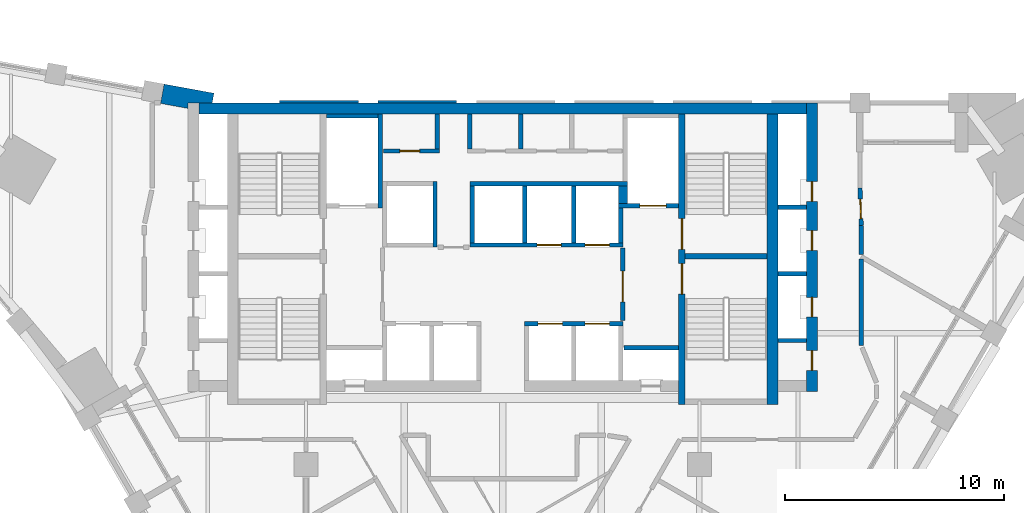
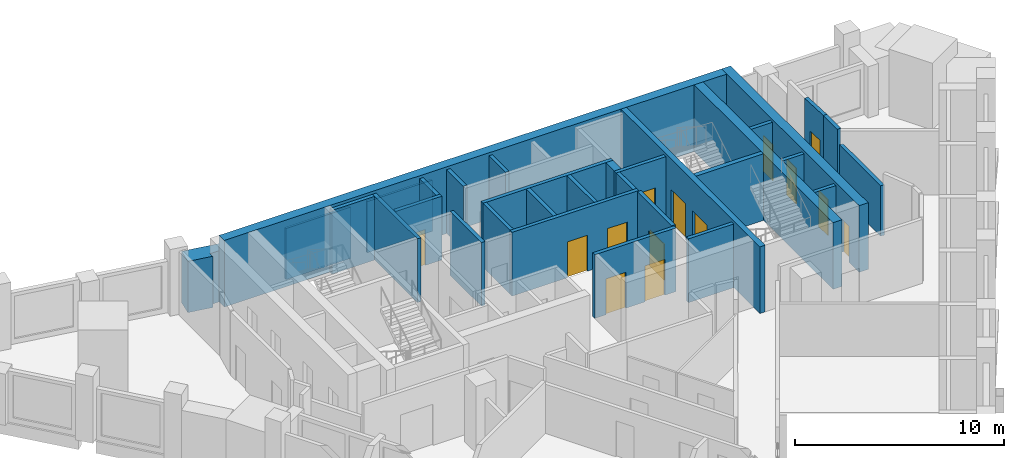
# One storey, part 6 of 9: 32 walls, 14 doors, 14 openings.
"""IFC4 building model written with IfcOpenShell, lengths in metres."""

from ifc_helpers import new_model, si_unit, direction, frame, frame_2d, origin, place, context, subcontext, project, spatial, polyline, rectangle, outline, extrude, material, layer, layer_set, type_object, element, fill, save


model = new_model("IFC4")

# Units and contexts
model_context = context("Model", 3, precision=1e-05, world=origin(), true_north=direction((0.0, 1.0)))
body_context = subcontext(model_context, "Body", "Model", "MODEL_VIEW")
ifc_project = project(units=[si_unit("LENGTHUNIT", "METRE"), si_unit("AREAUNIT", "SQUARE_METRE"), si_unit("VOLUMEUNIT", "CUBIC_METRE"), si_unit("PLANEANGLEUNIT", "RADIAN"), si_unit("MASSUNIT", "GRAM", prefix="KILO")], contexts=[model_context])

# Site, building, storey
site_placement = place(None, origin())
site = spatial("IfcSite", under=ifc_project, at=site_placement, CompositionType="ELEMENT")
building_placement = place(site_placement, origin())
building = spatial("IfcBuilding", under=site, at=building_placement, Name="Calabash Gate Tower", CompositionType="ELEMENT")
storey_placement = place(building_placement, frame((0.0, 0.0, 219.800048828125)))
storey = spatial("IfcBuildingStorey", under=building, at=storey_placement, Name="L52", CompositionType="ELEMENT", Elevation=219.800048828125)

# Walls
ifc_material_1 = material(Name="Terracotta brick masonry, exposed face", Category="masonry")
ifc_layer_1 = layer(ifc_material_1, 0.89990234375)
ifc_layer_set_1 = layer_set([ifc_layer_1], Name="Brick end wall 900")
wall_type_1 = type_object("IfcWallType", Name="Brick end wall 900", PredefinedType="SOLIDWALL", material=ifc_layer_set_1)
wall_1_placement = place(storey_placement, origin())
element("IfcWall", 1, at=wall_1_placement, inside=storey, type_object=wall_type_1, Name="Brick end wall S15 1", PredefinedType="SOLIDWALL", context=body_context, shape_type="SweptSolid", body=[
    extrude(outline(polyline([(-15.651611328125, 19.02734375), (-15.65185546875, 19.027099609375), (-14.39990234375, 18.798095703125), (-14.39990234375, 19.052490234375), (-13.291015625, 19.052490234375), (-13.2099609375, 19.4951171875), (-15.489501953125, 19.912353515625), (-15.6513671875, 19.02734375), (-15.651611328125, 19.02734375)])), origin(), (0.0, 0.0, 1.0), 3.0),
])
ifc_material_2 = material(Name="Gypsum board on steel studs, mineral wool", Category="steel")
ifc_layer_2 = layer(ifc_material_2, 0.199951171875)
ifc_layer_set_2 = layer_set([ifc_layer_2], Name="Core partition 200 gypsum board")
wall_type_2 = type_object("IfcWallType", Name="Core partition 200 gypsum board", PredefinedType="PARTITIONING", material=ifc_layer_set_2)
for number, where, z_axis, x_axis, name in (
    (2, (-3.0, 16.95263671875, 0.0), (0.0, 0.0, 1.0), (0.0, 1.0, 0.0), "Core partition"),
    (3, (-1.5, 16.95263671875, 0.0), (0.0, 0.0, 1.0), (0.0, 1.0, 0.0), "Core partition"),
    (4, (0.833251953125, 16.95263671875, 0.0), (0.0, 0.0, 1.0), (0.0, 1.0, 0.0), "Core partition"),
):
    element("IfcWall", number, at=place(storey_placement, frame(where, z_axis=z_axis, x_axis=x_axis)), inside=storey, type_object=wall_type_2, Name=name, PredefinedType="PARTITIONING", context=body_context, shape_type="SweptSolid", body=[
        extrude(rectangle(XDim=1.599853515625, YDim=0.199951171875, at=frame_2d((0.7998046875, 0.0))), origin(), (0.0, 0.0, 1.0), 3.72998046875),
    ])
ifc_material_3 = material(Name="Concrete C70/85", Category="concrete")
ifc_layer_3 = layer(ifc_material_3, 0.25)
ifc_layer_set_3 = layer_set([ifc_layer_3], Name="Core wall 250 Concrete C70/85")
wall_type_3 = type_object("IfcWallType", Name="Core wall 250 Concrete C70/85", PredefinedType="SHEAR", material=ifc_layer_set_3)
wall_2_placement = place(storey_placement, frame((8.35009765625, 12.027587890625, 0.0), z_axis=(0.0, 0.0, 1.0), x_axis=(1.0, 0.0, 0.0)))
element("IfcWall", 5, at=wall_2_placement, inside=storey, type_object=wall_type_3, Name="Core wall Z4-MIDE L52", PredefinedType="SHEAR", context=body_context, shape_type="SweptSolid", body=[
    extrude(rectangle(XDim=3.75, YDim=0.25, at=frame_2d((1.875, 0.0))), origin(), (0.0, 0.0, 1.0), 3.89990234375),
])

# Wall, openings, doors
ifc_material_4 = material(Name="Concrete C70/85", Category="concrete")
ifc_layer_4 = layer(ifc_material_4, 0.300048828125)
ifc_layer_set_4 = layer_set([ifc_layer_4], Name="Core wall 300 Concrete C70/85")
wall_type_4 = type_object("IfcWallType", Name="Core wall 300 Concrete C70/85", PredefinedType="SHEAR", material=ifc_layer_set_4)
wall_3_placement = place(storey_placement, frame((8.199951171875, 5.252685546875, 0.0), z_axis=(0.0, 0.0, 1.0), x_axis=(0.0, 1.0, 0.0)))
wall_3 = element("IfcWall", 6, at=wall_3_placement, inside=storey, type_object=wall_type_4, Name="Core wall Z4-PARTE L52", PredefinedType="SHEAR", context=body_context, shape_type="SweptSolid", body=[
    extrude(rectangle(XDim=13.2998046875, YDim=0.300048828125, at=frame_2d((6.64990234375, 0.0))), origin(), (0.0, 0.0, 1.0), 3.89990234375),
])
opening_1_placement = place(wall_3_placement, frame((7.10009765625, 0.0, 0.0)))
opening_1 = element("IfcOpeningElement", 7, at=opening_1_placement, cuts=wall_3, Name="Opening O7-020", PredefinedType="OPENING", context=body_context, shape_type="SweptSolid", body=[
    extrude(rectangle(XDim=1.39990234375, YDim=2.10009765625, at=frame_2d((0.699951171875, 1.050048828125))), frame((0.0, 0.159912109375, 0.0), z_axis=(0.0, -1.0, 0.0), x_axis=(1.0, 0.0, 0.0)), (0.0, 0.0, 1.0), 0.320068359375),
])
opening_2_placement = place(wall_3_placement, frame((5.050048828125, 0.0, 0.0)))
opening_2 = element("IfcOpeningElement", 8, at=opening_2_placement, cuts=wall_3, Name="Opening O7-021", PredefinedType="OPENING", context=body_context, shape_type="SweptSolid", body=[
    extrude(rectangle(XDim=1.39990234375, YDim=2.10009765625, at=frame_2d((0.699951171875, 1.050048828125))), frame((0.0, 0.159912109375, 0.0), z_axis=(0.0, -1.0, 0.0), x_axis=(1.0, 0.0, 0.0)), (0.0, 0.0, 1.0), 0.320068359375),
])
ifc_material_5 = material(Name="Steel fire door set with fire-resisting glazing", Category="steel")
door_type_1 = type_object("IfcDoorType", Name="Fire door D05 1400x2100 FD90", OperationType="NOTDEFINED", PredefinedType="DOOR", material=ifc_material_5)
door_1_placement = place(opening_1_placement, origin())
door_1 = element("IfcDoor", 9, at=door_1_placement, inside=storey, type_object=door_type_1, Name="Exit stair door ST3", OperationType="SINGLE_SWING_RIGHT", OverallHeight=2.10009765625, OverallWidth=1.39990234375, PredefinedType="DOOR", context=body_context, shape_type="SweptSolid", body=[
    extrude(rectangle(XDim=1.39990234375, YDim=2.10009765625, at=frame_2d((0.699951171875, 1.050048828125))), frame((0.0, 0.02490234375, 0.0), z_axis=(0.0, -1.0, 0.0), x_axis=(1.0, 0.0, 0.0)), (0.0, 0.0, 1.0), 0.050048828125),
])
fill(opening_1, door_1)
door_2_placement = place(opening_2_placement, origin())
door_2 = element("IfcDoor", 10, at=door_2_placement, inside=storey, type_object=door_type_1, Name="Exit stair door ST4", OperationType="SINGLE_SWING_LEFT", OverallHeight=2.10009765625, OverallWidth=1.39990234375, PredefinedType="DOOR", context=body_context, shape_type="SweptSolid", body=[
    extrude(rectangle(XDim=1.39990234375, YDim=2.10009765625, at=frame_2d((0.699951171875, 1.050048828125))), frame((0.0, 0.02490234375, 0.0), z_axis=(0.0, -1.0, 0.0), x_axis=(1.0, 0.0, 0.0)), (0.0, 0.0, 1.0), 0.050048828125),
])
fill(opening_2, door_2)

# Walls
ifc_material_6 = material(Name="Concrete C70/85", Category="concrete")
ifc_layer_5 = layer(ifc_material_6, 0.5)
ifc_layer_set_5 = layer_set([ifc_layer_5], Name="Core wall 500 Concrete C70/85")
wall_type_5 = type_object("IfcWallType", Name="Core wall 500 Concrete C70/85", PredefinedType="SHEAR", material=ifc_layer_set_5)
wall_4_placement = place(storey_placement, frame((-13.89990234375, 18.802490234375, 0.0), z_axis=(0.0, 0.0, 1.0), x_axis=(1.0, 0.0, 0.0)))
element("IfcWall", 11, at=wall_4_placement, inside=storey, type_object=wall_type_5, Name="Core wall Z4-N L52", PredefinedType="SHEAR", context=body_context, shape_type="SweptSolid", body=[
    extrude(rectangle(XDim=27.7998046875, YDim=0.5, at=frame_2d((13.89990234375, 0.0))), origin(), (0.0, 0.0, 1.0), 3.89990234375),
])
wall_5_placement = place(storey_placement, frame((12.35009765625, 5.252685546875, 0.0), z_axis=(0.0, 0.0, 1.0), x_axis=(0.0, 1.0, 0.0)))
element("IfcWall", 12, at=wall_5_placement, inside=storey, type_object=wall_type_5, Name="Core wall Z4-COLE L52", PredefinedType="SHEAR", context=body_context, shape_type="SweptSolid", body=[
    extrude(rectangle(XDim=13.2998046875, YDim=0.5, at=frame_2d((6.64990234375, 0.0))), origin(), (0.0, 0.0, 1.0), 3.89990234375),
])

# Wall, openings, doors
wall_6_placement = place(storey_placement, frame((14.14990234375, 5.8525390625, 0.0), z_axis=(0.0, 0.0, 1.0), x_axis=(0.0, 1.0, 0.0)))
wall_6 = element("IfcWall", 13, at=wall_6_placement, inside=storey, type_object=wall_type_5, Name="Core wall Z4-ENDE L52", PredefinedType="SHEAR", context=body_context, shape_type="SweptSolid", body=[
    extrude(rectangle(XDim=13.199951171875, YDim=0.5, at=frame_2d((6.60009765625, 0.0))), origin(), (0.0, 0.0, 1.0), 3.89990234375),
])
opening_3_placement = place(wall_6_placement, frame((0.965087890625, 0.0, 0.0)))
opening_3 = element("IfcOpeningElement", 14, at=opening_3_placement, cuts=wall_6, Name="Opening O7-001", PredefinedType="OPENING", context=body_context, shape_type="SweptSolid", body=[
    extrude(rectangle(XDim=0.89990234375, YDim=2.10009765625, at=frame_2d((0.449951171875, 1.050048828125))), frame((0.0, 0.260009765625, 0.0), z_axis=(0.0, -1.0, 0.0), x_axis=(1.0, 0.0, 0.0)), (0.0, 0.0, 1.0), 0.52001953125),
])
opening_4_placement = place(wall_6_placement, frame((3.405029296875, 0.0, 0.0)))
opening_4 = element("IfcOpeningElement", 15, at=opening_4_placement, cuts=wall_6, Name="Opening O7-002", PredefinedType="OPENING", context=body_context, shape_type="SweptSolid", body=[
    extrude(rectangle(XDim=0.89990234375, YDim=2.10009765625, at=frame_2d((0.449951171875, 1.050048828125))), frame((0.0, 0.260009765625, 0.0), z_axis=(0.0, -1.0, 0.0), x_axis=(1.0, 0.0, 0.0)), (0.0, 0.0, 1.0), 0.52001953125),
])
opening_5_placement = place(wall_6_placement, frame((6.455078125, 0.0, 0.0)))
opening_5 = element("IfcOpeningElement", 16, at=opening_5_placement, cuts=wall_6, Name="Opening O7-003", PredefinedType="OPENING", context=body_context, shape_type="SweptSolid", body=[
    extrude(rectangle(XDim=0.89990234375, YDim=2.10009765625, at=frame_2d((0.449951171875, 1.050048828125))), frame((0.0, 0.260009765625, 0.0), z_axis=(0.0, -1.0, 0.0), x_axis=(1.0, 0.0, 0.0)), (0.0, 0.0, 1.0), 0.52001953125),
])
opening_6_placement = place(wall_6_placement, frame((8.697509765625, 0.0, 0.0)))
opening_6 = element("IfcOpeningElement", 17, at=opening_6_placement, cuts=wall_6, Name="Opening O7-004", PredefinedType="OPENING", context=body_context, shape_type="SweptSolid", body=[
    extrude(rectangle(XDim=0.89990234375, YDim=2.10009765625, at=frame_2d((0.449951171875, 1.050048828125))), frame((0.0, 0.260009765625, 0.0), z_axis=(0.0, -1.0, 0.0), x_axis=(1.0, 0.0, 0.0)), (0.0, 0.0, 1.0), 0.52001953125),
])
ifc_material_7 = material(Name="Steel fire door set with fire-resisting glazing", Category="steel")
door_type_2 = type_object("IfcDoorType", Name="Fire door D06 900x2100 FD60", OperationType="NOTDEFINED", PredefinedType="DOOR", material=ifc_material_7)
door_3_placement = place(opening_3_placement, origin())
door_3 = element("IfcDoor", 18, at=door_3_placement, inside=storey, type_object=door_type_2, Name="Cleaner's Store door", OperationType="SINGLE_SWING_LEFT", OverallHeight=2.10009765625, OverallWidth=0.89990234375, PredefinedType="DOOR", context=body_context, shape_type="SweptSolid", body=[
    extrude(rectangle(XDim=0.89990234375, YDim=2.10009765625, at=frame_2d((0.449951171875, 1.050048828125))), frame((0.0, 0.02490234375, 0.0), z_axis=(0.0, -1.0, 0.0), x_axis=(1.0, 0.0, 0.0)), (0.0, 0.0, 1.0), 0.050048828125),
])
fill(opening_3, door_3)
door_4_placement = place(opening_4_placement, origin())
door_4 = element("IfcDoor", 19, at=door_4_placement, inside=storey, type_object=door_type_2, Name="Duct Riser door", OperationType="SINGLE_SWING_RIGHT", OverallHeight=2.10009765625, OverallWidth=0.89990234375, PredefinedType="DOOR", context=body_context, shape_type="SweptSolid", body=[
    extrude(rectangle(XDim=0.89990234375, YDim=2.10009765625, at=frame_2d((0.449951171875, 1.050048828125))), frame((0.0, 0.02490234375, 0.0), z_axis=(0.0, -1.0, 0.0), x_axis=(1.0, 0.0, 0.0)), (0.0, 0.0, 1.0), 0.050048828125),
])
fill(opening_4, door_4)
door_5_placement = place(opening_5_placement, origin())
door_5 = element("IfcDoor", 20, at=door_5_placement, inside=storey, type_object=door_type_2, Name="Electrical Riser door", OperationType="SINGLE_SWING_LEFT", OverallHeight=2.10009765625, OverallWidth=0.89990234375, PredefinedType="DOOR", context=body_context, shape_type="SweptSolid", body=[
    extrude(rectangle(XDim=0.89990234375, YDim=2.10009765625, at=frame_2d((0.449951171875, 1.050048828125))), frame((0.0, 0.02490234375, 0.0), z_axis=(0.0, -1.0, 0.0), x_axis=(1.0, 0.0, 0.0)), (0.0, 0.0, 1.0), 0.050048828125),
])
fill(opening_5, door_5)
door_6_placement = place(opening_6_placement, origin())
door_6 = element("IfcDoor", 21, at=door_6_placement, inside=storey, type_object=door_type_2, Name="Comms Riser door", OperationType="SINGLE_SWING_LEFT", OverallHeight=2.10009765625, OverallWidth=0.89990234375, PredefinedType="DOOR", context=body_context, shape_type="SweptSolid", body=[
    extrude(rectangle(XDim=0.89990234375, YDim=2.10009765625, at=frame_2d((0.449951171875, 1.050048828125))), frame((0.0, 0.02490234375, 0.0), z_axis=(0.0, -1.0, 0.0), x_axis=(1.0, 0.0, 0.0)), (0.0, 0.0, 1.0), 0.050048828125),
])
fill(opening_6, door_6)

# Walls
ifc_material_8 = material(Name="Gypsum board on steel studs, mineral wool", Category="steel")
ifc_layer_6 = layer(ifc_material_8, 0.199951171875)
ifc_layer_set_6 = layer_set([ifc_layer_6], Name="Partition 200 gypsum board EI 60")
wall_type_6 = type_object("IfcWallType", Name="Partition 200 gypsum board EI 60", PredefinedType="PARTITIONING", material=ifc_layer_set_6)
wall_7_placement = place(storey_placement, frame((16.400390625, 7.95263671875, 0.0), z_axis=(0.0, 0.0, 1.0), x_axis=(0.00043151272, 0.999999906898, 0.0)))
element("IfcWall", 22, at=wall_7_placement, inside=storey, type_object=wall_type_6, Name="Partition", PredefinedType="PARTITIONING", context=body_context, shape_type="SweptSolid", body=[
    extrude(rectangle(XDim=3.96044921875, YDim=0.199951171875, at=frame_2d((1.980224609375, 0.0))), origin(), (0.0, 0.0, 1.0), 2.949951171875),
])
wall_8_placement = place(storey_placement, frame((16.400390625, 13.45263671875, 0.0), z_axis=(0.0, 0.0, 1.0), x_axis=(0.001093692383, -0.999999401918, 0.0)))
element("IfcWall", 23, at=wall_8_placement, inside=storey, type_object=wall_type_6, Name="Partition", PredefinedType="PARTITIONING", context=body_context, shape_type="SweptSolid", body=[
    extrude(rectangle(XDim=1.33935546875, YDim=0.199951171875, at=frame_2d((0.669677734375, 0.0))), origin(), (0.0, 0.0, 1.0), 3.72998046875),
])

# Wall, opening, door
wall_9_placement = place(storey_placement, frame((16.344482421875, 15.152587890625, 0.0), z_axis=(0.0, 0.0, 1.0), x_axis=(0.032870350984, -0.99945962401, 0.0)))
wall_9 = element("IfcWall", 24, at=wall_9_placement, inside=storey, type_object=wall_type_6, Name="Partition", PredefinedType="PARTITIONING", context=body_context, shape_type="SweptSolid", body=[
    extrude(rectangle(XDim=1.700927734375, YDim=0.199951171875, at=frame_2d((0.8505859375, 0.0))), origin(), (0.0, 0.0, 1.0), 3.72998046875),
])
opening_7_placement = place(wall_9_placement, frame((0.50048828125, 0.0, 0.0)))
opening_7 = element("IfcOpeningElement", 25, at=opening_7_placement, cuts=wall_9, Name="Opening 52-54-010", PredefinedType="OPENING", context=body_context, shape_type="SweptSolid", body=[
    extrude(rectangle(XDim=0.89990234375, YDim=2.10009765625, at=frame_2d((0.449951171875, 1.050048828125))), frame((0.0, 0.10986328125, 0.0), z_axis=(0.0, -1.0, 0.0), x_axis=(1.0, 0.0, 0.0)), (0.0, 0.0, 1.0), 0.219970703125),
])
ifc_material_9 = material(Name="Steel fire door set with fire-resisting glazing", Category="steel")
door_type_3 = type_object("IfcDoorType", Name="SD3 Store door 900x2100", OperationType="NOTDEFINED", PredefinedType="DOOR", material=ifc_material_9)
door_7_placement = place(opening_7_placement, origin())
door_7 = element("IfcDoor", 26, at=door_7_placement, inside=storey, type_object=door_type_3, Name="Store door", OperationType="SINGLE_SWING_RIGHT", OverallHeight=2.10009765625, OverallWidth=0.89990234375, PredefinedType="DOOR", context=body_context, shape_type="SweptSolid", body=[
    extrude(rectangle(XDim=0.89990234375, YDim=2.10009765625, at=frame_2d((0.449951171875, 1.050048828125))), frame((0.0, 0.02490234375, 0.0), z_axis=(0.0, -1.0, 0.0), x_axis=(1.0, 0.0, 0.0)), (0.0, 0.0, 1.0), 0.050048828125),
])
fill(opening_7, door_7)

# Walls
ifc_material_10 = material(Name="Concrete C40/50", Category="concrete")
ifc_layer_7 = layer(ifc_material_10, 0.199951171875)
ifc_layer_set_7 = layer_set([ifc_layer_7], Name="Shaft wall 200 Concrete C40/50")
wall_type_7 = type_object("IfcWallType", Name="Shaft wall 200 Concrete C40/50", PredefinedType="SOLIDWALL", material=ifc_layer_set_7)
wall_10_placement = place(storey_placement, frame((5.550048828125, 7.8525390625, 0.0), z_axis=(0.0, 0.0, 1.0), x_axis=(1.0, 0.0, 0.0)))
element("IfcWall", 27, at=wall_10_placement, inside=storey, type_object=wall_type_7, Name="Shaft wall", PredefinedType="SOLIDWALL", context=body_context, shape_type="SweptSolid", body=[
    extrude(rectangle(XDim=2.5, YDim=0.199951171875, at=frame_2d((1.25, 0.0))), origin(), (0.0, 0.0, 1.0), 3.72998046875),
])
wall_11_placement = place(storey_placement, frame((12.60009765625, 8.1826171875, 0.0), z_axis=(0.0, 0.0, 1.0), x_axis=(1.0, 0.0, 0.0)))
element("IfcWall", 28, at=wall_11_placement, inside=storey, type_object=wall_type_7, Name="Shaft wall", PredefinedType="SOLIDWALL", context=body_context, shape_type="SweptSolid", body=[
    extrude(rectangle(XDim=1.2998046875, YDim=0.199951171875, at=frame_2d((0.64990234375, 0.0))), origin(), (0.0, 0.0, 1.0), 3.72998046875),
])

# Wall, openings, doors
wall_12_placement = place(storey_placement, frame((1.0, 8.95263671875, 0.0), z_axis=(0.0, 0.0, 1.0), x_axis=(1.0, 0.0, 0.0)))
wall_12 = element("IfcWall", 29, at=wall_12_placement, inside=storey, type_object=wall_type_7, Name="Shaft wall", PredefinedType="SOLIDWALL", context=body_context, shape_type="SweptSolid", body=[
    extrude(rectangle(XDim=4.5, YDim=0.199951171875, at=frame_2d((2.25, 0.0))), origin(), (0.0, 0.0, 1.0), 3.72998046875),
])
opening_8_placement = place(wall_12_placement, frame((0.625, 0.0, 0.0)))
opening_8 = element("IfcOpeningElement", 30, at=opening_8_placement, cuts=wall_12, Name="Opening LD-HR3", PredefinedType="OPENING", context=body_context, shape_type="SweptSolid", body=[
    extrude(rectangle(XDim=1.10009765625, YDim=2.10009765625, at=frame_2d((0.550048828125, 1.050048828125))), frame((0.0, 0.10986328125, 0.0), z_axis=(0.0, -1.0, 0.0), x_axis=(1.0, 0.0, 0.0)), (0.0, 0.0, 1.0), 0.219970703125),
])
opening_9_placement = place(wall_12_placement, frame((2.77490234375, 0.0, 0.0)))
opening_9 = element("IfcOpeningElement", 31, at=opening_9_placement, cuts=wall_12, Name="Opening LD-HR4", PredefinedType="OPENING", context=body_context, shape_type="SweptSolid", body=[
    extrude(rectangle(XDim=1.10009765625, YDim=2.10009765625, at=frame_2d((0.550048828125, 1.050048828125))), frame((0.0, 0.10986328125, 0.0), z_axis=(0.0, -1.0, 0.0), x_axis=(1.0, 0.0, 0.0)), (0.0, 0.0, 1.0), 0.219970703125),
])
ifc_material_11 = material(Name="Stainless steel sliding door leaves", Category="steel")
door_type_4 = type_object("IfcDoorType", Name="Lift landing door LS1 1100x2100 FD90", OperationType="DOUBLE_DOOR_SLIDING", PredefinedType="DOOR", material=ifc_material_11)
door_8_placement = place(opening_8_placement, origin())
door_8 = element("IfcDoor", 32, at=door_8_placement, inside=storey, type_object=door_type_4, Name="Lift landing door HR3", OperationType="DOUBLE_DOOR_SLIDING", OverallHeight=2.10009765625, OverallWidth=1.10009765625, PredefinedType="DOOR", context=body_context, shape_type="SweptSolid", body=[
    extrude(rectangle(XDim=1.10009765625, YDim=2.10009765625, at=frame_2d((0.550048828125, 1.050048828125))), frame((0.0, 0.02490234375, 0.0), z_axis=(0.0, -1.0, 0.0), x_axis=(1.0, 0.0, 0.0)), (0.0, 0.0, 1.0), 0.050048828125),
])
fill(opening_8, door_8)
door_9_placement = place(opening_9_placement, origin())
door_9 = element("IfcDoor", 33, at=door_9_placement, inside=storey, type_object=door_type_4, Name="Lift landing door HR4", OperationType="DOUBLE_DOOR_SLIDING", OverallHeight=2.10009765625, OverallWidth=1.10009765625, PredefinedType="DOOR", context=body_context, shape_type="SweptSolid", body=[
    extrude(rectangle(XDim=1.10009765625, YDim=2.10009765625, at=frame_2d((0.550048828125, 1.050048828125))), frame((0.0, 0.02490234375, 0.0), z_axis=(0.0, -1.0, 0.0), x_axis=(1.0, 0.0, 0.0)), (0.0, 0.0, 1.0), 0.050048828125),
])
fill(opening_9, door_9)

# Wall, opening, door
wall_13_placement = place(storey_placement, frame((5.5, 9.1025390625, 0.0), z_axis=(0.0, 0.0, 1.0), x_axis=(0.0, 1.0, 0.0)))
wall_13 = element("IfcWall", 34, at=wall_13_placement, inside=storey, type_object=wall_type_7, Name="Shaft wall", PredefinedType="SOLIDWALL", context=body_context, shape_type="SweptSolid", body=[
    extrude(rectangle(XDim=3.300048828125, YDim=0.199951171875, at=frame_2d((1.64990234375, 0.0))), origin(), (0.0, 0.0, 1.0), 3.72998046875),
])
opening_10_placement = place(wall_13_placement, frame((0.85009765625, 0.0, 0.0)))
opening_10 = element("IfcOpeningElement", 35, at=opening_10_placement, cuts=wall_13, Name="Opening O7-010", PredefinedType="OPENING", context=body_context, shape_type="SweptSolid", body=[
    extrude(rectangle(XDim=1.39990234375, YDim=2.10009765625, at=frame_2d((0.699951171875, 1.050048828125))), frame((0.0, 0.10986328125, 0.0), z_axis=(0.0, -1.0, 0.0), x_axis=(1.0, 0.0, 0.0)), (0.0, 0.0, 1.0), 0.219970703125),
])
door_10_placement = place(opening_10_placement, origin())
door_10 = element("IfcDoor", 36, at=door_10_placement, inside=storey, type_object=door_type_1, Name="Firefighting Lobby E door", OperationType="SINGLE_SWING_LEFT", OverallHeight=2.10009765625, OverallWidth=1.39990234375, PredefinedType="DOOR", context=body_context, shape_type="SweptSolid", body=[
    extrude(rectangle(XDim=1.39990234375, YDim=2.10009765625, at=frame_2d((0.699951171875, 1.050048828125))), frame((0.0, 0.02490234375, 0.0), z_axis=(0.0, -1.0, 0.0), x_axis=(1.0, 0.0, 0.0)), (0.0, 0.0, 1.0), 0.050048828125),
])
fill(opening_10, door_10)

# Walls
wall_14_placement = place(storey_placement, frame((12.60009765625, 11.232666015625, 0.0), z_axis=(0.0, 0.0, 1.0), x_axis=(1.0, 0.0, 0.0)))
element("IfcWall", 37, at=wall_14_placement, inside=storey, type_object=wall_type_7, Name="Shaft wall", PredefinedType="SOLIDWALL", context=body_context, shape_type="SweptSolid", body=[
    extrude(rectangle(XDim=1.2998046875, YDim=0.199951171875, at=frame_2d((0.64990234375, 0.0))), origin(), (0.0, 0.0, 1.0), 3.72998046875),
])
wall_15_placement = place(storey_placement, frame((-3.10009765625, 12.45263671875, 0.0), z_axis=(0.0, 0.0, 1.0), x_axis=(0.0, 1.0, 0.0)))
element("IfcWall", 38, at=wall_15_placement, inside=storey, type_object=wall_type_7, Name="Shaft wall", PredefinedType="SOLIDWALL", context=body_context, shape_type="SweptSolid", body=[
    extrude(rectangle(XDim=3.0, YDim=0.199951171875, at=frame_2d((1.5, 0.0))), origin(), (0.0, 0.0, 1.0), 3.72998046875),
])

# Wall, openings, doors
wall_16_placement = place(storey_placement, frame((-1.5, 12.552490234375, 0.0), z_axis=(0.0, 0.0, 1.0), x_axis=(1.0, 0.0, 0.0)))
wall_16 = element("IfcWall", 39, at=wall_16_placement, inside=storey, type_object=wall_type_7, Name="Shaft wall", PredefinedType="SOLIDWALL", context=body_context, shape_type="SweptSolid", body=[
    extrude(rectangle(XDim=7.0, YDim=0.199951171875, at=frame_2d((3.5, 0.0))), origin(), (0.0, 0.0, 1.0), 3.72998046875),
])
opening_11_placement = place(wall_16_placement, frame((3.074951171875, 0.0, 0.0)))
opening_11 = element("IfcOpeningElement", 40, at=opening_11_placement, cuts=wall_16, Name="Opening LD-HR5", PredefinedType="OPENING", context=body_context, shape_type="SweptSolid", body=[
    extrude(rectangle(XDim=1.10009765625, YDim=2.10009765625, at=frame_2d((0.550048828125, 1.050048828125))), frame((0.0, 0.10986328125, 0.0), z_axis=(0.0, -1.0, 0.0), x_axis=(1.0, 0.0, 0.0)), (0.0, 0.0, 1.0), 0.219970703125),
])
opening_12_placement = place(wall_16_placement, frame((5.27490234375, 0.0, 0.0)))
opening_12 = element("IfcOpeningElement", 41, at=opening_12_placement, cuts=wall_16, Name="Opening LD-HR6", PredefinedType="OPENING", context=body_context, shape_type="SweptSolid", body=[
    extrude(rectangle(XDim=1.10009765625, YDim=2.10009765625, at=frame_2d((0.550048828125, 1.050048828125))), frame((0.0, 0.10986328125, 0.0), z_axis=(0.0, -1.0, 0.0), x_axis=(1.0, 0.0, 0.0)), (0.0, 0.0, 1.0), 0.219970703125),
])
door_11_placement = place(opening_11_placement, origin())
door_11 = element("IfcDoor", 42, at=door_11_placement, inside=storey, type_object=door_type_4, Name="Lift landing door HR5", OperationType="DOUBLE_DOOR_SLIDING", OverallHeight=2.10009765625, OverallWidth=1.10009765625, PredefinedType="DOOR", context=body_context, shape_type="SweptSolid", body=[
    extrude(rectangle(XDim=1.10009765625, YDim=2.10009765625, at=frame_2d((0.550048828125, 1.050048828125))), frame((0.0, 0.02490234375, 0.0), z_axis=(0.0, -1.0, 0.0), x_axis=(1.0, 0.0, 0.0)), (0.0, 0.0, 1.0), 0.050048828125),
])
fill(opening_11, door_11)
door_12_placement = place(opening_12_placement, origin())
door_12 = element("IfcDoor", 43, at=door_12_placement, inside=storey, type_object=door_type_4, Name="Lift landing door HR6", OperationType="DOUBLE_DOOR_SLIDING", OverallHeight=2.10009765625, OverallWidth=1.10009765625, PredefinedType="DOOR", context=body_context, shape_type="SweptSolid", body=[
    extrude(rectangle(XDim=1.10009765625, YDim=2.10009765625, at=frame_2d((0.550048828125, 1.050048828125))), frame((0.0, 0.02490234375, 0.0), z_axis=(0.0, -1.0, 0.0), x_axis=(1.0, 0.0, 0.0)), (0.0, 0.0, 1.0), 0.050048828125),
])
fill(opening_12, door_12)

# Walls
for number, where, z_axis, x_axis, name in (
    (44, (-1.39990234375, 12.652587890625, 0.0), (0.0, 0.0, 1.0), (0.0, 1.0, 0.0), "Shaft wall"),
    (45, (1.0, 12.652587890625, 0.0), (0.0, 0.0, 1.0), (0.0, 1.0, 0.0), "Shaft wall"),
    (46, (3.25, 12.652587890625, 0.0), (0.0, 0.0, 1.0), (0.0, 1.0, 0.0), "Shaft wall"),
):
    element("IfcWall", number, at=place(storey_placement, frame(where, z_axis=z_axis, x_axis=x_axis)), inside=storey, type_object=wall_type_7, Name=name, PredefinedType="SOLIDWALL", context=body_context, shape_type="SweptSolid", body=[
        extrude(rectangle(XDim=2.60009765625, YDim=0.199951171875, at=frame_2d((1.300048828125, 0.0))), origin(), (0.0, 0.0, 1.0), 3.72998046875),
    ])
wall_17_placement = place(storey_placement, frame((5.39990234375, 12.652587890625, 0.0), z_axis=(0.0, 0.0, 1.0), x_axis=(0.0, 1.0, 0.0)))
element("IfcWall", 47, at=wall_17_placement, inside=storey, type_object=wall_type_7, Name="Shaft wall", PredefinedType="SOLIDWALL", context=body_context, shape_type="SweptSolid", body=[
    extrude(rectangle(XDim=1.60009765625, YDim=0.199951171875, at=frame_2d((0.800048828125, 0.0))), origin(), (0.0, 0.0, 1.0), 3.72998046875),
])
wall_18_placement = place(storey_placement, frame((12.60009765625, 14.28271484375, 0.0), z_axis=(0.0, 0.0, 1.0), x_axis=(1.0, 0.0, 0.0)))
element("IfcWall", 48, at=wall_18_placement, inside=storey, type_object=wall_type_7, Name="Shaft wall", PredefinedType="SOLIDWALL", context=body_context, shape_type="SweptSolid", body=[
    extrude(rectangle(XDim=1.2998046875, YDim=0.199951171875, at=frame_2d((0.64990234375, 0.0))), origin(), (0.0, 0.0, 1.0), 3.72998046875),
])
wall_19_placement = place(storey_placement, frame((-5.60009765625, 14.252685546875, 0.0), z_axis=(0.0, 0.0, 1.0), x_axis=(0.0, 1.0, 0.0)))
element("IfcWall", 49, at=wall_19_placement, inside=storey, type_object=wall_type_7, Name="Shaft wall", PredefinedType="SOLIDWALL", context=body_context, shape_type="SweptSolid", body=[
    extrude(rectangle(XDim=4.2998046875, YDim=0.199951171875, at=frame_2d((2.14990234375, 0.0))), origin(), (0.0, 0.0, 1.0), 3.72998046875),
])

# Wall, opening, door
wall_20_placement = place(storey_placement, frame((5.300048828125, 14.3525390625, 0.0), z_axis=(0.0, 0.0, 1.0), x_axis=(1.0, 0.0, 0.0)))
wall_20 = element("IfcWall", 50, at=wall_20_placement, inside=storey, type_object=wall_type_7, Name="Shaft wall", PredefinedType="SOLIDWALL", context=body_context, shape_type="SweptSolid", body=[
    extrude(rectangle(XDim=2.75, YDim=0.199951171875, at=frame_2d((1.375, 0.0))), origin(), (0.0, 0.0, 1.0), 3.72998046875),
])
opening_13_placement = place(wall_20_placement, frame((0.97509765625, 0.0, 0.0)))
opening_13 = element("IfcOpeningElement", 51, at=opening_13_placement, cuts=wall_20, Name="Opening LD-FF2", PredefinedType="OPENING", context=body_context, shape_type="SweptSolid", body=[
    extrude(rectangle(XDim=1.199951171875, YDim=2.10009765625, at=frame_2d((0.60009765625, 1.050048828125))), frame((0.0, 0.10986328125, 0.0), z_axis=(0.0, -1.0, 0.0), x_axis=(1.0, 0.0, 0.0)), (0.0, 0.0, 1.0), 0.219970703125),
])
ifc_material_12 = material(Name="Stainless steel sliding door leaves", Category="steel")
door_type_5 = type_object("IfcDoorType", Name="Lift landing door LS3 1200x2100 FD90", OperationType="DOUBLE_DOOR_SLIDING", PredefinedType="DOOR", material=ifc_material_12)
door_13_placement = place(opening_13_placement, origin())
door_13 = element("IfcDoor", 52, at=door_13_placement, inside=storey, type_object=door_type_5, Name="Lift landing door FF2", OperationType="DOUBLE_DOOR_SLIDING", OverallHeight=2.10009765625, OverallWidth=1.199951171875, PredefinedType="DOOR", context=body_context, shape_type="SweptSolid", body=[
    extrude(rectangle(XDim=1.199951171875, YDim=2.10009765625, at=frame_2d((0.60009765625, 1.050048828125))), frame((0.0, 0.02490234375, 0.0), z_axis=(0.0, -1.0, 0.0), x_axis=(1.0, 0.0, 0.0)), (0.0, 0.0, 1.0), 0.050048828125),
])
fill(opening_13, door_13)

# Walls
wall_21_placement = place(storey_placement, frame((5.5, 14.45263671875, 0.0), z_axis=(0.0, 0.0, 1.0), x_axis=(0.0, 1.0, 0.0)))
element("IfcWall", 53, at=wall_21_placement, inside=storey, type_object=wall_type_7, Name="Shaft wall", PredefinedType="SOLIDWALL", context=body_context, shape_type="SweptSolid", body=[
    extrude(rectangle(XDim=0.800048828125, YDim=0.39990234375, at=frame_2d((0.39990234375, 0.0))), origin(), (0.0, 0.0, 1.0), 3.72998046875),
])
wall_22_placement = place(storey_placement, frame((-1.5, 15.3525390625, 0.0), z_axis=(0.0, 0.0, 1.0), x_axis=(1.0, 0.0, 0.0)))
element("IfcWall", 54, at=wall_22_placement, inside=storey, type_object=wall_type_7, Name="Shaft wall", PredefinedType="SOLIDWALL", context=body_context, shape_type="SweptSolid", body=[
    extrude(rectangle(XDim=7.199951171875, YDim=0.199951171875, at=frame_2d((3.60009765625, 0.0))), origin(), (0.0, 0.0, 1.0), 3.72998046875),
])

# Wall, opening, door
wall_23_placement = place(storey_placement, frame((-5.449951171875, 16.8525390625, 0.0), z_axis=(0.0, 0.0, 1.0), x_axis=(1.0, 0.0, 0.0)))
wall_23 = element("IfcWall", 55, at=wall_23_placement, inside=storey, type_object=wall_type_7, Name="Shaft wall", PredefinedType="SOLIDWALL", context=body_context, shape_type="SweptSolid", body=[
    extrude(rectangle(XDim=2.550048828125, YDim=0.199951171875, at=frame_2d((1.27490234375, 0.0))), origin(), (0.0, 0.0, 1.0), 3.72998046875),
])
opening_14_placement = place(wall_23_placement, frame((0.75, 0.0, 0.0)))
opening_14 = element("IfcOpeningElement", 56, at=opening_14_placement, cuts=wall_23, Name="Opening O7-012", PredefinedType="OPENING", context=body_context, shape_type="SweptSolid", body=[
    extrude(rectangle(XDim=0.89990234375, YDim=2.10009765625, at=frame_2d((0.449951171875, 1.050048828125))), frame((0.0, 0.10986328125, 0.0), z_axis=(0.0, -1.0, 0.0), x_axis=(1.0, 0.0, 0.0)), (0.0, 0.0, 1.0), 0.219970703125),
])
door_14_placement = place(opening_14_placement, origin())
door_14 = element("IfcDoor", 57, at=door_14_placement, inside=storey, type_object=door_type_2, Name="Accessible WC door", OperationType="SINGLE_SWING_LEFT", OverallHeight=2.10009765625, OverallWidth=0.89990234375, PredefinedType="DOOR", context=body_context, shape_type="SweptSolid", body=[
    extrude(rectangle(XDim=0.89990234375, YDim=2.10009765625, at=frame_2d((0.449951171875, 1.050048828125))), frame((0.0, 0.02490234375, 0.0), z_axis=(0.0, -1.0, 0.0), x_axis=(1.0, 0.0, 0.0)), (0.0, 0.0, 1.0), 0.050048828125),
])
fill(opening_14, door_14)

# Walls
wall_24_placement = place(storey_placement, frame((-8.050048828125, 18.45263671875, 0.0), z_axis=(0.0, 0.0, 1.0), x_axis=(1.0, 0.0, 0.0)))
element("IfcWall", 58, at=wall_24_placement, inside=storey, type_object=wall_type_7, Name="Shaft wall", PredefinedType="SOLIDWALL", context=body_context, shape_type="SweptSolid", body=[
    extrude(rectangle(XDim=2.35009765625, YDim=0.199951171875, at=frame_2d((1.175048828125, 0.0))), origin(), (0.0, 0.0, 1.0), 3.72998046875),
])
ifc_material_13 = material(Name="Terracotta brick masonry, perforated", Category="masonry")
ifc_layer_8 = layer(ifc_material_13, 0.1201171875)
ifc_layer_set_8 = layer_set([ifc_layer_8], Name="Terracotta jaali cladding A 120")
wall_type_8 = type_object("IfcWallType", Name="Terracotta jaali cladding A 120", PredefinedType="SOLIDWALL", material=ifc_layer_set_8)
wall_25_placement = place(storey_placement, origin())
element("IfcWall", 59, at=wall_25_placement, inside=storey, type_object=wall_type_8, Name="Jaali cladding S15 N4.7", PredefinedType="SOLIDWALL", context=body_context, shape_type="SweptSolid", body=[
    extrude(outline(polyline([(-10.2060546875, 19.172607421875), (-10.2060546875, 19.052490234375), (-6.606201171875, 19.052490234375), (-6.606201171875, 19.172607421875), (-10.2060546875, 19.172607421875)])), origin(), (0.0, 0.0, 1.0), 3.0),
])
ifc_material_14 = material(Name="Terracotta louvre blades in an aluminium frame", Category="masonry")
ifc_layer_9 = layer(ifc_material_14, 0.1201171875)
ifc_layer_set_9 = layer_set([ifc_layer_9], Name="Terracotta vent louvre cladding 120")
wall_type_9 = type_object("IfcWallType", Name="Terracotta vent louvre cladding 120", PredefinedType="ELEMENTEDWALL", material=ifc_layer_set_9)
wall_26_placement = place(storey_placement, origin())
element("IfcWall", 60, at=wall_26_placement, inside=storey, type_object=wall_type_9, Name="Vent louvre cladding S15 N4.6", PredefinedType="ELEMENTEDWALL", context=body_context, shape_type="SweptSolid", body=[
    extrude(outline(polyline([(-5.7060546875, 19.172607421875), (-5.7060546875, 19.052490234375), (-2.106201171875, 19.052490234375), (-2.106201171875, 19.172607421875), (-5.7060546875, 19.172607421875)])), origin(), (0.0, 0.0, 1.0), 3.0),
])

save(model, "model.ifc")
